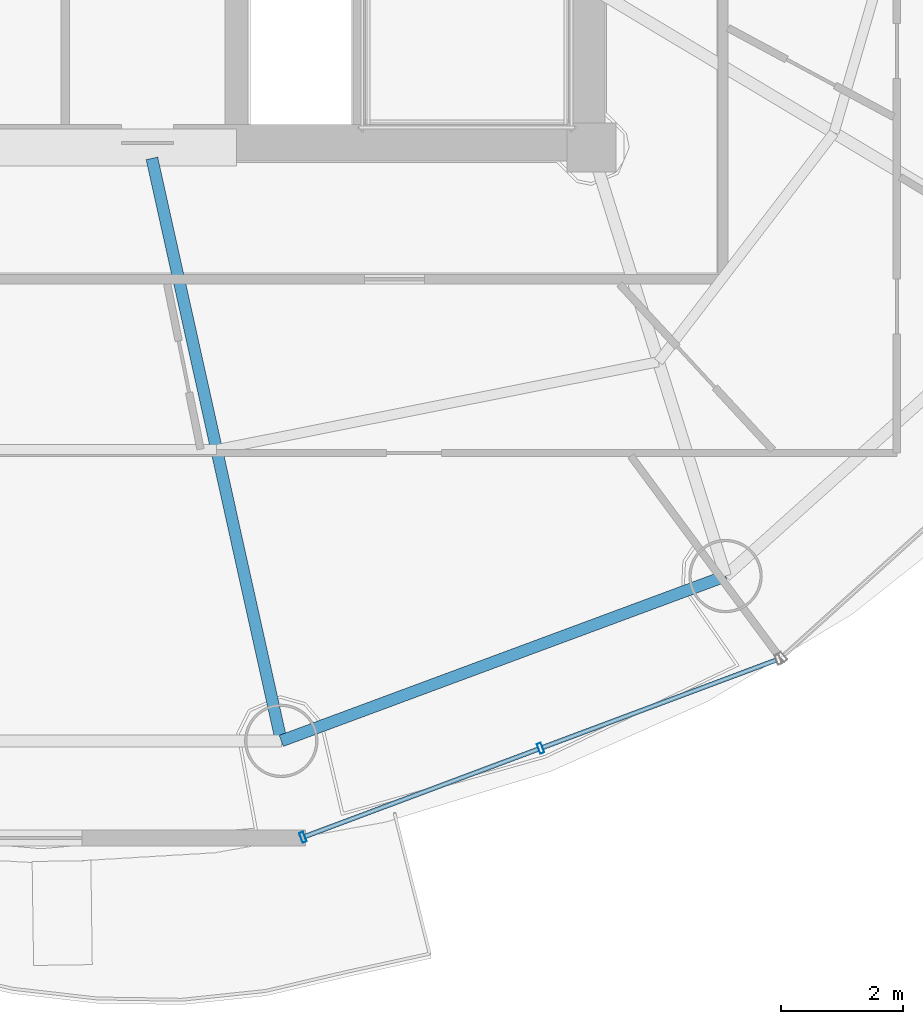
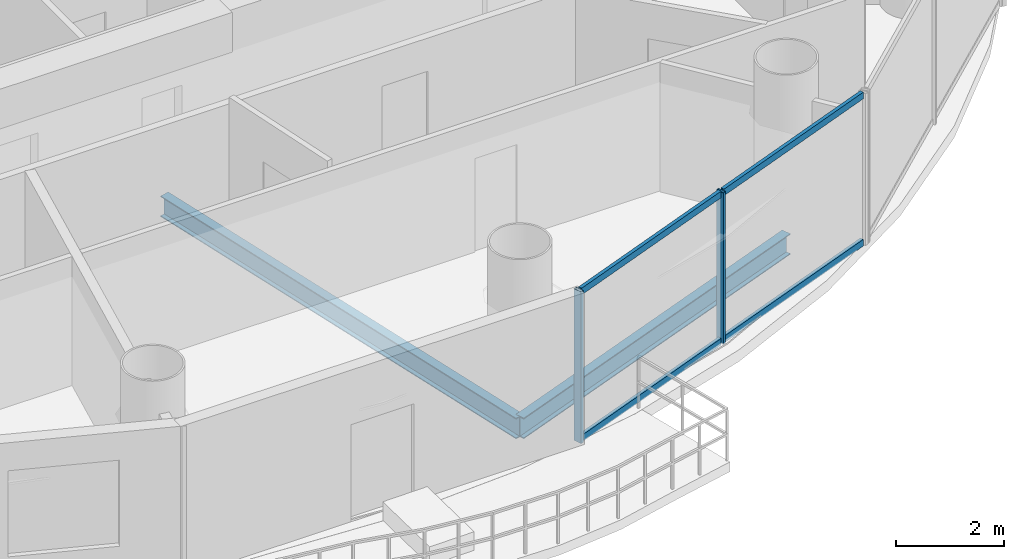
# One storey, part 5 of 26: 6 members, 2 beams, 1 element without a shape of its own.
"""IFC4 building model written with IfcOpenShell, lengths in metres."""

from ifc_helpers import new_model, si_unit, direction, frame, origin, origin_2d, place, context, subcontext, project, spatial, hollow_rectangle, i_section, extrude, source, transform, mapped, material, material_profile, profile_set, type_object, element, aggregate, save


model = new_model("IFC4")

# Units and contexts
model_context = context("Model", 3, precision=1e-05, world=origin(), true_north=direction((-0.2419218956, 0.970295726276)))
body_context = subcontext(model_context, "Body", "Model", "MODEL_VIEW")
ifc_project = project(units=[si_unit("LENGTHUNIT", "METRE"), si_unit("AREAUNIT", "SQUARE_METRE"), si_unit("VOLUMEUNIT", "CUBIC_METRE"), si_unit("PLANEANGLEUNIT", "RADIAN"), si_unit("MASSUNIT", "GRAM", prefix="KILO")], contexts=[model_context])

# Site, building, storey
site_placement = place(None, origin())
site = spatial("IfcSite", under=ifc_project, at=site_placement, CompositionType="ELEMENT")
building_placement = place(site_placement, origin())
building = spatial("IfcBuilding", under=site, at=building_placement, Name="Cobrevalo Terracotta Tower", CompositionType="ELEMENT")
storey_placement = place(building_placement, frame((0.0, 0.0, 217.10009765625)))
storey = spatial("IfcBuildingStorey", under=building, at=storey_placement, Name="L57", CompositionType="ELEMENT", Elevation=217.10009765625)

# Beams
ifc_material_1 = material(Name="Steel S355", Category="steel")
ifc_material_profile_1 = material_profile(ifc_material_1, i_section(OverallWidth=0.194091796875, OverallDepth=0.468994140625, WebThickness=0.011474609375, FlangeThickness=0.0205078125, at=origin_2d()), Name="W 460x106")
ifc_profile_set_1 = profile_set([ifc_material_profile_1], Name="Steel S355")
beam_type_1 = type_object("IfcBeamType", Name="Structural Beam W 460x106 (Steel S355)", PredefinedType="BEAM", material=ifc_profile_set_1)
beam_1_placement = place(storey_placement, frame((41.93115234375, 9.096923828125, -0.49951171875), z_axis=(-0.216782061165, 0.976220025382, 0.0), x_axis=(-0.976220025382, -0.216782061165, 0.0)))
element("IfcBeam", 1, at=beam_1_placement, inside=storey, type_object=beam_type_1, Name="L57 radial floor girder 13", PredefinedType="BEAM", context=body_context, shape_type="SweptSolid", body=[
    extrude(i_section(OverallWidth=0.194091796875, OverallDepth=0.468994140625, WebThickness=0.011474609375, FlangeThickness=0.0205078125, at=origin_2d()), origin(), (0.0, 0.0, 1.0), 9.755126953125),
])
ifc_material_profile_2 = material_profile(ifc_material_1, i_section(OverallWidth=0.194091796875, OverallDepth=0.468994140625, WebThickness=0.011474609375, FlangeThickness=0.0205078125, at=origin_2d()), Name="W 460x106")
ifc_profile_set_2 = profile_set([ifc_material_profile_2], Name="Steel S355")
beam_type_2 = type_object("IfcBeamType", Name="Structural Spandrel W 460x106 (Steel S355)", PredefinedType="SPANDREL", material=ifc_profile_set_2)
beam_2_placement = place(storey_placement, frame((41.93115234375, 9.096923828125, -0.49951171875), z_axis=(0.937545996665, 0.347861328892, 0.0), x_axis=(-0.347861328892, 0.937545996665, 0.0)))
element("IfcBeam", 2, at=beam_2_placement, inside=storey, type_object=beam_type_2, Name="L57 perimeter ring spandrel 13", PredefinedType="SPANDREL", context=body_context, shape_type="SweptSolid", body=[
    extrude(i_section(OverallWidth=0.194091796875, OverallDepth=0.468994140625, WebThickness=0.011474609375, FlangeThickness=0.0205078125, at=origin_2d()), origin(), (0.0, 0.0, 1.0), 7.74755859375),
])

# Curtain wall, members
ifc_material_2 = material(Name="Anodized aluminium", Category="aluminium")
curtain_wall_type = type_object("IfcCurtainWallType", Name="Mid-tower high-wind unitised curtain wall CW-U2", PredefinedType="NOTDEFINED", material=ifc_material_2)
curtain_wall_placement = place(storey_placement, origin())
curtain_wall = element("IfcCurtainWall", 3, at=curtain_wall_placement, inside=storey, type_object=curtain_wall_type, Name="L57 curtain wall CW-L57-S13", PredefinedType="NOTDEFINED")
ifc_material_profile_3 = material_profile(ifc_material_2, hollow_rectangle(XDim=0.074951171875, YDim=0.14990234375, WallThickness=0.00439453125, at=origin_2d()), Name="CWT 75x150")
ifc_profile_set_3 = profile_set([ifc_material_profile_3], Name="Anodized aluminium")
member_type_1 = type_object("IfcMemberType", Name="Tower unitised aluminium transom 75x150", PredefinedType="USERDEFINED", material=ifc_profile_set_3)
shared_shape_1 = source(origin(), body_context, "Body", "SweptSolid", [
    extrude(hollow_rectangle(XDim=0.074951171875, YDim=0.14990234375, WallThickness=0.00439453125, at=origin_2d()), origin(), (0.0, 0.0, 1.0), 4.069580078125),
])
member_1_placement = place(storey_placement, frame((46.20849609375, 8.990478515625, 0.0498046875), z_axis=(0.936548420649, 0.350538237259, 0.0), x_axis=(-0.350538237259, 0.936548420649, 0.0)))
member_1 = element("IfcMember", 4, at=member_1_placement, type_object=member_type_1, Name="CW-L57-S13 transom B02-T1", ObjectType="TRANSOM", PredefinedType="USERDEFINED", context=body_context, shape_type="MappedRepresentation", body=[
    mapped(shared_shape_1, transform((0.0, 0.0, 0.0), scale=1.0)),
])
member_2_placement = place(storey_placement, frame((46.20849609375, 8.990478515625, 3.385009765625), z_axis=(0.936548420649, 0.350538237259, 0.0), x_axis=(-0.350538237259, 0.936548420649, 0.0)))
member_2 = element("IfcMember", 5, at=member_2_placement, type_object=member_type_1, Name="CW-L57-S13 transom B02-T2", ObjectType="TRANSOM", PredefinedType="USERDEFINED", context=body_context, shape_type="MappedRepresentation", body=[
    mapped(shared_shape_1, transform((0.0, 0.0, 0.0), scale=1.0)),
])
shared_shape_2 = source(origin(), body_context, "Body", "SweptSolid", [
    extrude(hollow_rectangle(XDim=0.074951171875, YDim=0.14990234375, WallThickness=0.00439453125, at=origin_2d()), origin(), (0.0, 0.0, 1.0), 4.06982421875),
])
member_3_placement = place(storey_placement, frame((42.322021484375, 7.535888671875, 0.0498046875), z_axis=(0.936555791772, 0.350518542873, 0.0), x_axis=(-0.350518542873, 0.936555791772, 0.0)))
member_3 = element("IfcMember", 6, at=member_3_placement, type_object=member_type_1, Name="CW-L57-S13 transom B01-T1", ObjectType="TRANSOM", PredefinedType="USERDEFINED", context=body_context, shape_type="MappedRepresentation", body=[
    mapped(shared_shape_2, transform((0.0, 0.0, 0.0), scale=1.0)),
])
member_4_placement = place(storey_placement, frame((42.322021484375, 7.535888671875, 3.385009765625), z_axis=(0.936555791772, 0.350518542873, 0.0), x_axis=(-0.350518542873, 0.936555791772, 0.0)))
member_4 = element("IfcMember", 7, at=member_4_placement, type_object=member_type_1, Name="CW-L57-S13 transom B01-T2", ObjectType="TRANSOM", PredefinedType="USERDEFINED", context=body_context, shape_type="MappedRepresentation", body=[
    mapped(shared_shape_2, transform((0.0, 0.0, 0.0), scale=1.0)),
])
ifc_material_profile_4 = material_profile(ifc_material_2, hollow_rectangle(XDim=0.070068359375, YDim=0.169921875, WallThickness=0.00439453125, at=origin_2d()), Name="CWM 70x170")
ifc_profile_set_4 = profile_set([ifc_material_profile_4], Name="Anodized aluminium")
member_type_2 = type_object("IfcMemberType", Name="Upper tower unitised mullion 70x170", PredefinedType="MULLION", material=ifc_profile_set_4)
shared_shape_3 = source(origin(), body_context, "Body", "SweptSolid", [
    extrude(hollow_rectangle(XDim=0.070068359375, YDim=0.169921875, WallThickness=0.00439453125, at=origin_2d()), origin(), (0.0, 0.0, 1.0), 3.434814453125),
])
member_5_placement = place(storey_placement, frame((42.28466796875, 7.52197265625, 0.0), z_axis=(0.0, 0.0, 1.0), x_axis=(0.936556004584, 0.350517974259, 0.0)))
member_5 = element("IfcMember", 8, at=member_5_placement, type_object=member_type_2, Name="CW-L57-S13 vertical mullion 01", PredefinedType="MULLION", context=body_context, shape_type="MappedRepresentation", body=[
    mapped(shared_shape_3, transform((0.0, 0.0, 0.0), scale=1.0)),
])
member_6_placement = place(storey_placement, frame((46.1708984375, 8.9765625, 0.0), z_axis=(0.0, 0.0, 1.0), x_axis=(0.936556004584, 0.350517974259, 0.0)))
member_6 = element("IfcMember", 9, at=member_6_placement, type_object=member_type_2, Name="CW-L57-S13 vertical mullion 02", PredefinedType="MULLION", context=body_context, shape_type="MappedRepresentation", body=[
    mapped(shared_shape_3, transform((0.0, 0.0, 0.0), scale=1.0)),
])
aggregate(curtain_wall, [member_5, member_6, member_3, member_4, member_1, member_2])

save(model, "model.ifc")
